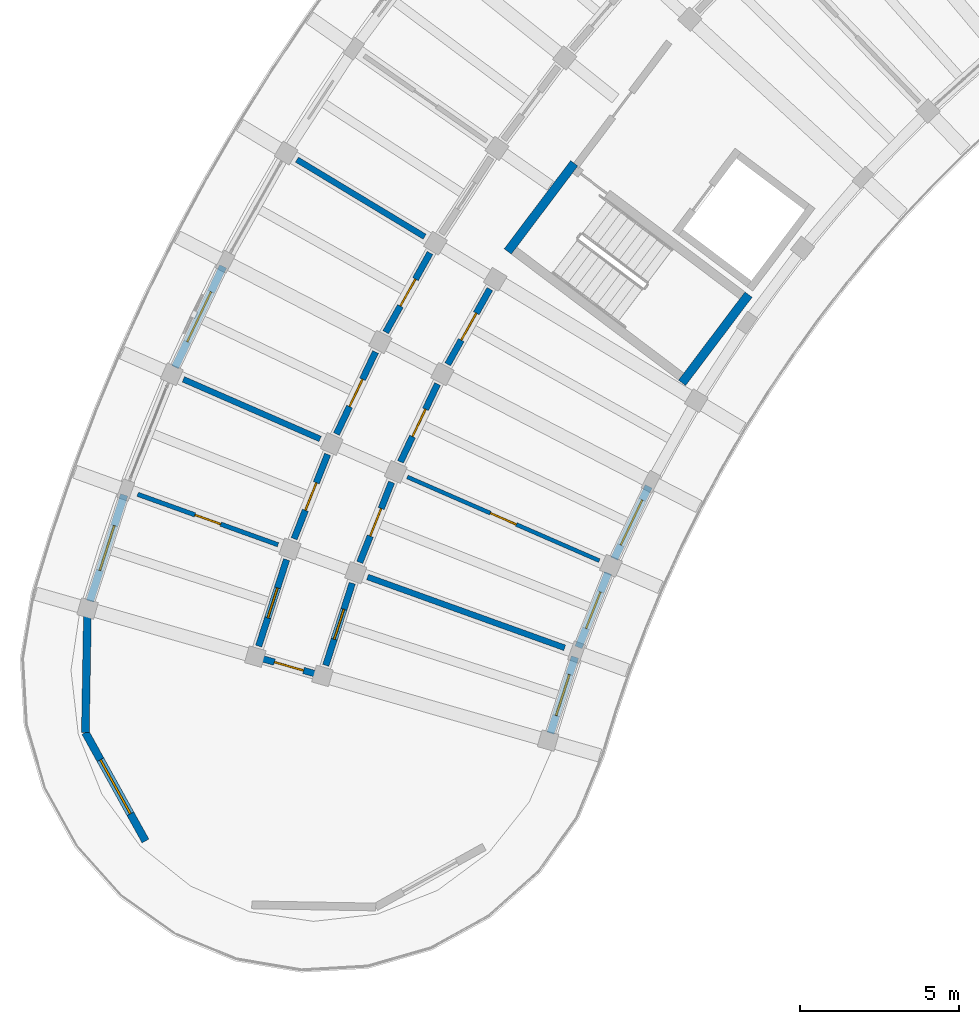
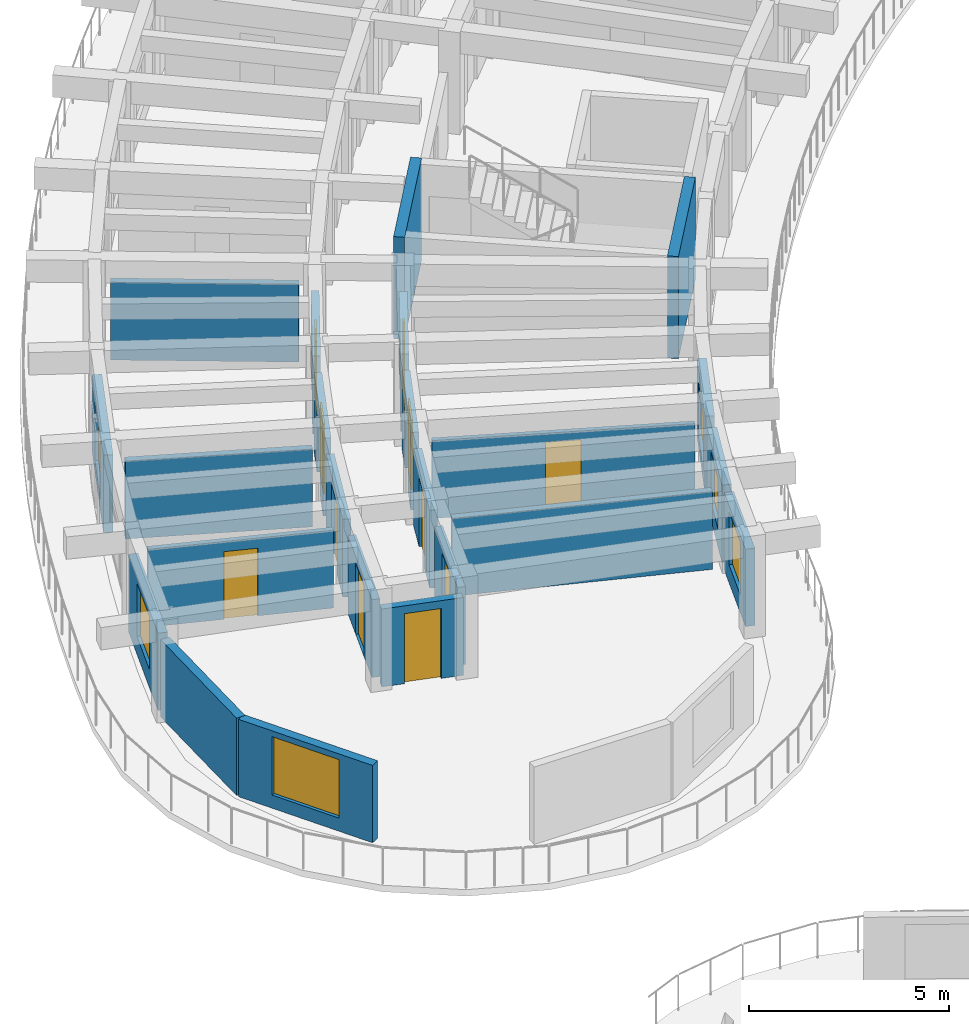
# One storey, part 60 of 96: 23 walls, 11 doors, 6 windows, 17 openings.
"""IFC4 building model written with IfcOpenShell, lengths in metres."""

from ifc_helpers import new_model, si_unit, direction, frame, frame_2d, origin, place, context, subcontext, project, spatial, rectangle, extrude, material, layer, layer_set, type_object, element, fill, save


model = new_model("IFC4")

# Units and contexts
model_context = context("Model", 3, precision=1e-05, world=origin(), true_north=direction((0.0, 1.0)))
body_context = subcontext(model_context, "Body", "Model", "MODEL_VIEW")
ifc_project = project(units=[si_unit("LENGTHUNIT", "METRE"), si_unit("AREAUNIT", "SQUARE_METRE"), si_unit("VOLUMEUNIT", "CUBIC_METRE"), si_unit("PLANEANGLEUNIT", "RADIAN"), si_unit("MASSUNIT", "GRAM", prefix="KILO")], contexts=[model_context])

# Site, building, storey
site_placement = place(None, origin())
site = spatial("IfcSite", under=ifc_project, at=site_placement, CompositionType="ELEMENT")
building_placement = place(site_placement, origin())
building = spatial("IfcBuilding", under=site, at=building_placement, Name="Tanwirah Colonnade Gardens", CompositionType="ELEMENT")
storey_placement = place(building_placement, frame((0.0, 0.0, 12.199951171875)))
storey = spatial("IfcBuildingStorey", under=building, at=storey_placement, Name="L03", CompositionType="ELEMENT", Elevation=12.199951171875)

# Wall, opening, window
ifc_material_1 = material(Name="Limestone architectural precast concrete C40/50", Category="masonry")
ifc_layer_1 = layer(ifc_material_1, 0.2451171875)
ifc_layer_set_1 = layer_set([ifc_layer_1], Name="Limestone architectural precast concrete C40/50")
wall_type_1 = type_object("IfcWallType", Name="EW-PC245", PredefinedType="SOLIDWALL", material=ifc_layer_set_1)
wall_1_placement = place(storey_placement, frame((12.030029296875, 87.39892578125, 0.0), z_axis=(0.0, 0.0, 1.0), x_axis=(-0.429653621352, -0.902993779413, 0.0)))
wall_1 = element("IfcWall", 1, at=wall_1_placement, inside=storey, type_object=wall_type_1, Name="Block A L03 OUT Precast Facade Wall 15", PredefinedType="SOLIDWALL", context=body_context, shape_type="SweptSolid", body=[
    extrude(rectangle(XDim=3.520751953125, YDim=0.2451171875, at=frame_2d((1.76025390625, 0.0))), origin(), (0.0, 0.0, 1.0), 2.35498046875),
])
opening_1_placement = place(wall_1_placement, frame((0.885498046875, 0.0, 0.35009765625)))
opening_1 = element("IfcOpeningElement", 2, at=opening_1_placement, cuts=wall_1, Name="Opening WIN-T13", PredefinedType="OPENING", context=body_context, shape_type="SweptSolid", body=[
    extrude(rectangle(XDim=1.75, YDim=1.85009765625, at=frame_2d((0.875, 0.925048828125))), frame((0.0, 0.132568359375, 0.0), z_axis=(0.0, -1.0, 0.0), x_axis=(1.0, 0.0, 0.0)), (0.0, 0.0, 1.0), 0.26513671875),
])
ifc_material_2 = material(Name="Thermally broken bronze aluminium and solar low-E double glazing", Category="aluminium")
window_type_1 = type_object("IfcWindowType", Name="WIN-T13", PartitioningType="TRIPLE_PANEL_VERTICAL", PredefinedType="WINDOW", material=ifc_material_2)
window_1_placement = place(opening_1_placement, origin())
window_1 = element("IfcWindow", 3, at=window_1_placement, inside=storey, type_object=window_type_1, Name="Facade window A-L03-OUT-15", OverallHeight=1.85009765625, OverallWidth=1.75, PartitioningType="SINGLE_PANEL", PredefinedType="WINDOW", context=body_context, shape_type="SweptSolid", body=[
    extrude(rectangle(XDim=1.75, YDim=1.85009765625, at=frame_2d((0.875, 0.925048828125))), frame((0.0, 0.030029296875, 0.0), z_axis=(0.0, -1.0, 0.0), x_axis=(1.0, 0.0, 0.0)), (0.0, 0.0, 1.0), 0.06005859375),
])
fill(opening_1, window_1)

wall_2_placement = place(storey_placement, frame((25.444091796875, 80.465576171875, 0.0), z_axis=(0.0, 0.0, 1.0), x_axis=(-0.429610836066, -0.903014135844, 0.0)))
wall_2 = element("IfcWall", 4, at=wall_2_placement, inside=storey, type_object=wall_type_1, Name="Block A L03 IN Precast Facade Wall 15", PredefinedType="SOLIDWALL", context=body_context, shape_type="SweptSolid", body=[
    extrude(rectangle(XDim=2.525390625, YDim=0.2451171875, at=frame_2d((1.2626953125, 0.0))), origin(), (0.0, 0.0, 1.0), 2.35498046875),
])
opening_2_placement = place(wall_2_placement, frame((0.47265625, 0.0, 0.35009765625)))
opening_2 = element("IfcOpeningElement", 5, at=opening_2_placement, cuts=wall_2, Name="Opening WIN-T20", PredefinedType="OPENING", context=body_context, shape_type="SweptSolid", body=[
    extrude(rectangle(XDim=1.580078125, YDim=1.679931640625, at=frame_2d((0.7900390625, 0.83984375))), frame((0.0, 0.132568359375, 0.0), z_axis=(0.0, -1.0, 0.0), x_axis=(1.0, 0.0, 0.0)), (0.0, 0.0, 1.0), 0.26513671875),
])
window_type_2 = type_object("IfcWindowType", Name="WIN-T20", PartitioningType="DOUBLE_PANEL_VERTICAL", PredefinedType="WINDOW", material=ifc_material_2)
window_2_placement = place(opening_2_placement, origin())
window_2 = element("IfcWindow", 6, at=window_2_placement, inside=storey, type_object=window_type_2, Name="Facade window A-L03-IN-15", OverallHeight=1.679931640625, OverallWidth=1.580078125, PartitioningType="SINGLE_PANEL", PredefinedType="WINDOW", context=body_context, shape_type="SweptSolid", body=[
    extrude(rectangle(XDim=1.580078125, YDim=1.679931640625, at=frame_2d((0.7900390625, 0.83984375))), frame((0.0, 0.030029296875, 0.0), z_axis=(0.0, -1.0, 0.0), x_axis=(1.0, 0.0, 0.0)), (0.0, 0.0, 1.0), 0.06005859375),
])
fill(opening_2, window_2)

wall_3_placement = place(storey_placement, frame((24.163330078125, 77.736328125, 0.0), z_axis=(0.0, 0.0, 1.0), x_axis=(-0.369122600107, -0.92938071106, 0.0)))
wall_3 = element("IfcWall", 7, at=wall_3_placement, inside=storey, type_object=wall_type_1, Name="Block A L03 IN Precast Facade Wall 16", PredefinedType="SOLIDWALL", context=body_context, shape_type="SweptSolid", body=[
    extrude(rectangle(XDim=2.525146484375, YDim=0.2451171875, at=frame_2d((1.2626953125, 0.0))), origin(), (0.0, 0.0, 1.0), 2.35498046875),
])
opening_3_placement = place(wall_3_placement, frame((0.642578125, 0.0, 0.550048828125)))
opening_3 = element("IfcOpeningElement", 8, at=opening_3_placement, cuts=wall_3, Name="Opening WIN-U03", PredefinedType="OPENING", context=body_context, shape_type="SweptSolid", body=[
    extrude(rectangle(XDim=1.239990234375, YDim=1.534912109375, at=frame_2d((0.6201171875, 0.767578125))), frame((0.0, 0.132568359375, 0.0), z_axis=(0.0, -1.0, 0.0), x_axis=(1.0, 0.0, 0.0)), (0.0, 0.0, 1.0), 0.26513671875),
])
window_type_3 = type_object("IfcWindowType", Name="WIN-U03", PartitioningType="DOUBLE_PANEL_VERTICAL", PredefinedType="WINDOW", material=ifc_material_2)
window_3_placement = place(opening_3_placement, origin())
window_3 = element("IfcWindow", 9, at=window_3_placement, inside=storey, type_object=window_type_3, Name="Facade window A-L03-IN-16", OverallHeight=1.534912109375, OverallWidth=1.239990234375, PartitioningType="SINGLE_PANEL", PredefinedType="WINDOW", context=body_context, shape_type="SweptSolid", body=[
    extrude(rectangle(XDim=1.239990234375, YDim=1.534912109375, at=frame_2d((0.6201171875, 0.767578125))), frame((0.0, 0.030029296875, 0.0), z_axis=(0.0, -1.0, 0.0), x_axis=(1.0, 0.0, 0.0)), (0.0, 0.0, 1.0), 0.06005859375),
])
fill(opening_3, window_3)

wall_4_placement = place(storey_placement, frame((8.91357421875, 80.19775390625, 0.0), z_axis=(0.0, 0.0, 1.0), x_axis=(-0.30720538788, -0.951643236543, 0.0)))
wall_4 = element("IfcWall", 10, at=wall_4_placement, inside=storey, type_object=wall_type_1, Name="Block A L03 OUT Precast Facade Wall 17", PredefinedType="SOLIDWALL", context=body_context, shape_type="SweptSolid", body=[
    extrude(rectangle(XDim=3.5205078125, YDim=0.2451171875, at=frame_2d((1.76025390625, 0.0))), origin(), (0.0, 0.0, 1.0), 2.35498046875),
])
opening_4_placement = place(wall_4_placement, frame((1.020263671875, 0.0, 0.550048828125)))
opening_4 = element("IfcOpeningElement", 11, at=opening_4_placement, cuts=wall_4, Name="Opening WIN-T19", PredefinedType="OPENING", context=body_context, shape_type="SweptSolid", body=[
    extrude(rectangle(XDim=1.47998046875, YDim=1.6201171875, at=frame_2d((0.739990234375, 0.81005859375))), frame((0.0, 0.132568359375, 0.0), z_axis=(0.0, -1.0, 0.0), x_axis=(1.0, 0.0, 0.0)), (0.0, 0.0, 1.0), 0.26513671875),
])
window_type_4 = type_object("IfcWindowType", Name="WIN-T19", PartitioningType="DOUBLE_PANEL_VERTICAL", PredefinedType="WINDOW", material=ifc_material_2)
window_4_placement = place(opening_4_placement, origin())
window_4 = element("IfcWindow", 12, at=window_4_placement, inside=storey, type_object=window_type_4, Name="Facade window A-L03-OUT-17", OverallHeight=1.6201171875, OverallWidth=1.47998046875, PartitioningType="SINGLE_PANEL", PredefinedType="WINDOW", context=body_context, shape_type="SweptSolid", body=[
    extrude(rectangle(XDim=1.47998046875, YDim=1.6201171875, at=frame_2d((0.739990234375, 0.81005859375))), frame((0.0, 0.030029296875, 0.0), z_axis=(0.0, -1.0, 0.0), x_axis=(1.0, 0.0, 0.0)), (0.0, 0.0, 1.0), 0.06005859375),
])
fill(opening_4, window_4)

wall_5_placement = place(storey_placement, frame((23.122802734375, 75.08837890625, 0.0), z_axis=(0.0, 0.0, 1.0), x_axis=(-0.30716379336, -0.951656662903, 0.0)))
wall_5 = element("IfcWall", 13, at=wall_5_placement, inside=storey, type_object=wall_type_1, Name="Block A L03 IN Precast Facade Wall 17", PredefinedType="SOLIDWALL", context=body_context, shape_type="SweptSolid", body=[
    extrude(rectangle(XDim=2.525146484375, YDim=0.2451171875, at=frame_2d((1.2626953125, 0.0))), origin(), (0.0, 0.0, 1.0), 2.35498046875),
])
opening_5_placement = place(wall_5_placement, frame((0.58251953125, 0.0, 0.550048828125)))
opening_5 = element("IfcOpeningElement", 14, at=opening_5_placement, cuts=wall_5, Name="Opening WIN-U06", PredefinedType="OPENING", context=body_context, shape_type="SweptSolid", body=[
    extrude(rectangle(XDim=1.360107421875, YDim=1.610107421875, at=frame_2d((0.68017578125, 0.80517578125))), frame((0.0, 0.132568359375, 0.0), z_axis=(0.0, -1.0, 0.0), x_axis=(1.0, 0.0, 0.0)), (0.0, 0.0, 1.0), 0.26513671875),
])
window_type_5 = type_object("IfcWindowType", Name="WIN-U06", PartitioningType="DOUBLE_PANEL_VERTICAL", PredefinedType="WINDOW", material=ifc_material_2)
window_5_placement = place(opening_5_placement, origin())
window_5 = element("IfcWindow", 15, at=window_5_placement, inside=storey, type_object=window_type_5, Name="Facade window A-L03-IN-17", OverallHeight=1.610107421875, OverallWidth=1.360107421875, PartitioningType="SINGLE_PANEL", PredefinedType="WINDOW", context=body_context, shape_type="SweptSolid", body=[
    extrude(rectangle(XDim=1.360107421875, YDim=1.610107421875, at=frame_2d((0.68017578125, 0.80517578125))), frame((0.0, 0.030029296875, 0.0), z_axis=(0.0, -1.0, 0.0), x_axis=(1.0, 0.0, 0.0)), (0.0, 0.0, 1.0), 0.06005859375),
])
fill(opening_5, window_5)

wall_6_placement = place(storey_placement, frame((9.58349609375, 69.28857421875, 0.0), z_axis=(0.0, 0.0, 1.0), x_axis=(-0.484841794757, 0.874601871743, 0.0)))
wall_6 = element("IfcWall", 16, at=wall_6_placement, inside=storey, type_object=wall_type_1, Name="Block A L03 END Rounded End Wall 4", PredefinedType="SOLIDWALL", context=body_context, shape_type="SweptSolid", body=[
    extrude(rectangle(XDim=3.907958984375, YDim=0.2451171875, at=frame_2d((1.9541015625, 0.0))), origin(), (0.0, 0.0, 1.0), 2.35498046875),
])
opening_6_placement = place(wall_6_placement, frame((0.97900390625, 0.0, 0.39990234375)))
opening_6 = element("IfcOpeningElement", 17, at=opening_6_placement, cuts=wall_6, Name="Opening WIN-END2", PredefinedType="OPENING", context=body_context, shape_type="SweptSolid", body=[
    extrude(rectangle(XDim=1.949951171875, YDim=1.780029296875, at=frame_2d((0.97509765625, 0.89013671875))), frame((0.0, 0.132568359375, 0.0), z_axis=(0.0, -1.0, 0.0), x_axis=(1.0, 0.0, 0.0)), (0.0, 0.0, 1.0), 0.26513671875),
])
window_type_6 = type_object("IfcWindowType", Name="WIN-END2", PartitioningType="TRIPLE_PANEL_VERTICAL", PredefinedType="WINDOW", material=ifc_material_2)
window_6_placement = place(opening_6_placement, origin())
window_6 = element("IfcWindow", 18, at=window_6_placement, inside=storey, type_object=window_type_6, Name="Rounded corner window A-L03-END-4", OverallHeight=1.780029296875, OverallWidth=1.949951171875, PartitioningType="SINGLE_PANEL", PredefinedType="WINDOW", context=body_context, shape_type="SweptSolid", body=[
    extrude(rectangle(XDim=1.949951171875, YDim=1.780029296875, at=frame_2d((0.97509765625, 0.89013671875))), frame((0.0, 0.030029296875, 0.0), z_axis=(0.0, -1.0, 0.0), x_axis=(1.0, 0.0, 0.0)), (0.0, 0.0, 1.0), 0.06005859375),
])
fill(opening_6, window_6)

# Wall
wall_7_placement = place(storey_placement, frame((7.688720703125, 72.70654296875, 0.0), z_axis=(0.0, 0.0, 1.0), x_axis=(0.017428315893, 0.999848115368, 0.0)))
element("IfcWall", 19, at=wall_7_placement, inside=storey, type_object=wall_type_1, Name="Block A L03 END Rounded End Wall 5", PredefinedType="SOLIDWALL", context=body_context, shape_type="SweptSolid", body=[
    extrude(rectangle(XDim=3.908203125, YDim=0.2451171875, at=frame_2d((1.9541015625, 0.0))), origin(), (0.0, 0.0, 1.0), 2.35498046875),
])

# Wall, opening, door
ifc_material_3 = material(Name="Precast concrete C40/50", Category="concrete")
ifc_layer_2 = layer(ifc_material_3, 0.205078125)
ifc_layer_set_2 = layer_set([ifc_layer_2], Name="Precast concrete C40/50")
wall_type_2 = type_object("IfcWallType", Name="IW-CORR205", PredefinedType="PARTITIONING", material=ifc_layer_set_2)
wall_8_placement = place(storey_placement, frame((18.55322265625, 87.822021484375, 0.0), z_axis=(0.0, 0.0, 1.0), x_axis=(-0.488211211273, -0.872725508501, 0.0)))
wall_8 = element("IfcWall", 20, at=wall_8_placement, inside=storey, type_object=wall_type_2, Name="Block A L03 OUT Corridor Wall 14", PredefinedType="PARTITIONING", context=body_context, shape_type="SweptSolid", body=[
    extrude(rectangle(XDim=2.86279296875, YDim=0.205078125, at=frame_2d((1.431396484375, 0.0))), origin(), (0.0, 0.0, 1.0), 2.3701171875),
])
opening_7_placement = place(wall_8_placement, frame((0.946533203125, 0.0, 0.0)))
opening_7 = element("IfcOpeningElement", 21, at=opening_7_placement, cuts=wall_8, Name="Opening L03-AD377", PredefinedType="OPENING", context=body_context, shape_type="SweptSolid", body=[
    extrude(rectangle(XDim=0.969970703125, YDim=2.14990234375, at=frame_2d((0.48486328125, 1.074951171875))), frame((0.0, 0.112548828125, 0.0), z_axis=(0.0, -1.0, 0.0), x_axis=(1.0, 0.0, 0.0)), (0.0, 0.0, 1.0), 0.22509765625),
])
ifc_material_4 = material(Name="Solid oak fire-resisting apartment entrance door")
door_type_1 = type_object("IfcDoorType", Name="ID-FLT097", OperationType="NOTDEFINED", PredefinedType="DOOR", material=ifc_material_4)
door_1_placement = place(opening_7_placement, origin())
door_1 = element("IfcDoor", 22, at=door_1_placement, inside=storey, type_object=door_type_1, Name="Apartment corridor door L03-AD377", OperationType="SINGLE_SWING_RIGHT", OverallHeight=2.14990234375, OverallWidth=0.969970703125, PredefinedType="DOOR", context=body_context, shape_type="SweptSolid", body=[
    extrude(rectangle(XDim=0.969970703125, YDim=2.14990234375, at=frame_2d((0.48486328125, 1.074951171875))), frame((0.0, 0.02490234375, 0.0), z_axis=(0.0, -1.0, 0.0), x_axis=(1.0, 0.0, 0.0)), (0.0, 0.0, 1.0), 0.050048828125),
])
fill(opening_7, door_1)

wall_9_placement = place(storey_placement, frame((20.436767578125, 86.685302734375, 0.0), z_axis=(0.0, 0.0, 1.0), x_axis=(-0.48819576874, -0.872734147025, 0.0)))
wall_9 = element("IfcWall", 23, at=wall_9_placement, inside=storey, type_object=wall_type_2, Name="Block A L03 IN Corridor Wall 14", PredefinedType="PARTITIONING", context=body_context, shape_type="SweptSolid", body=[
    extrude(rectangle(XDim=2.718017578125, YDim=0.205078125, at=frame_2d((1.35888671875, 0.0))), origin(), (0.0, 0.0, 1.0), 2.3701171875),
])
opening_8_placement = place(wall_9_placement, frame((0.8740234375, 0.0, 0.0)))
opening_8 = element("IfcOpeningElement", 24, at=opening_8_placement, cuts=wall_9, Name="Opening L03-AD378", PredefinedType="OPENING", context=body_context, shape_type="SweptSolid", body=[
    extrude(rectangle(XDim=0.969970703125, YDim=2.14990234375, at=frame_2d((0.48486328125, 1.074951171875))), frame((0.0, 0.112548828125, 0.0), z_axis=(0.0, -1.0, 0.0), x_axis=(1.0, 0.0, 0.0)), (0.0, 0.0, 1.0), 0.22509765625),
])
door_2_placement = place(opening_8_placement, origin())
door_2 = element("IfcDoor", 25, at=door_2_placement, inside=storey, type_object=door_type_1, Name="Apartment corridor door L03-AD378", OperationType="SINGLE_SWING_LEFT", OverallHeight=2.14990234375, OverallWidth=0.969970703125, PredefinedType="DOOR", context=body_context, shape_type="SweptSolid", body=[
    extrude(rectangle(XDim=0.969970703125, YDim=2.14990234375, at=frame_2d((0.48486328125, 1.074951171875))), frame((0.0, 0.02490234375, 0.0), z_axis=(0.0, -1.0, 0.0), x_axis=(1.0, 0.0, 0.0)), (0.0, 0.0, 1.0), 0.050048828125),
])
fill(opening_8, door_2)

wall_10_placement = place(storey_placement, frame((16.834228515625, 84.701904296875, 0.0), z_axis=(0.0, 0.0, 1.0), x_axis=(-0.429595933416, -0.90302122566, 0.0)))
wall_10 = element("IfcWall", 26, at=wall_10_placement, inside=storey, type_object=wall_type_2, Name="Block A L03 OUT Corridor Wall 15", PredefinedType="PARTITIONING", context=body_context, shape_type="SweptSolid", body=[
    extrude(rectangle(XDim=2.863037109375, YDim=0.205078125, at=frame_2d((1.431640625, 0.0))), origin(), (0.0, 0.0, 1.0), 2.3701171875),
])
opening_9_placement = place(wall_10_placement, frame((0.95654296875, 0.0, 0.0)))
opening_9 = element("IfcOpeningElement", 27, at=opening_9_placement, cuts=wall_10, Name="Opening L03-AD379", PredefinedType="OPENING", context=body_context, shape_type="SweptSolid", body=[
    extrude(rectangle(XDim=0.949951171875, YDim=2.1298828125, at=frame_2d((0.47509765625, 1.06494140625))), frame((0.0, 0.112548828125, 0.0), z_axis=(0.0, -1.0, 0.0), x_axis=(1.0, 0.0, 0.0)), (0.0, 0.0, 1.0), 0.22509765625),
])
door_type_2 = type_object("IfcDoorType", Name="ID-FLT095", OperationType="NOTDEFINED", PredefinedType="DOOR", material=ifc_material_4)
door_3_placement = place(opening_9_placement, origin())
door_3 = element("IfcDoor", 28, at=door_3_placement, inside=storey, type_object=door_type_2, Name="Apartment corridor door L03-AD379", OperationType="SINGLE_SWING_LEFT", OverallHeight=2.1298828125, OverallWidth=0.949951171875, PredefinedType="DOOR", context=body_context, shape_type="SweptSolid", body=[
    extrude(rectangle(XDim=0.949951171875, YDim=2.1298828125, at=frame_2d((0.47509765625, 1.06494140625))), frame((0.0, 0.02490234375, 0.0), z_axis=(0.0, -1.0, 0.0), x_axis=(1.0, 0.0, 0.0)), (0.0, 0.0, 1.0), 0.050048828125),
])
fill(opening_9, door_3)

wall_11_placement = place(storey_placement, frame((18.78857421875, 83.691650390625, 0.0), z_axis=(0.0, 0.0, 1.0), x_axis=(-0.429630211913, -0.90300491749, 0.0)))
wall_11 = element("IfcWall", 29, at=wall_11_placement, inside=storey, type_object=wall_type_2, Name="Block A L03 IN Corridor Wall 15", PredefinedType="PARTITIONING", context=body_context, shape_type="SweptSolid", body=[
    extrude(rectangle(XDim=2.718017578125, YDim=0.205078125, at=frame_2d((1.35888671875, 0.0))), origin(), (0.0, 0.0, 1.0), 2.3701171875),
])
opening_10_placement = place(wall_11_placement, frame((0.884033203125, 0.0, 0.0)))
opening_10 = element("IfcOpeningElement", 30, at=opening_10_placement, cuts=wall_11, Name="Opening L03-AD380", PredefinedType="OPENING", context=body_context, shape_type="SweptSolid", body=[
    extrude(rectangle(XDim=0.949951171875, YDim=2.1298828125, at=frame_2d((0.47509765625, 1.06494140625))), frame((0.0, 0.112548828125, 0.0), z_axis=(0.0, -1.0, 0.0), x_axis=(1.0, 0.0, 0.0)), (0.0, 0.0, 1.0), 0.22509765625),
])
door_4_placement = place(opening_10_placement, origin())
door_4 = element("IfcDoor", 31, at=door_4_placement, inside=storey, type_object=door_type_2, Name="Apartment corridor door L03-AD380", OperationType="SINGLE_SWING_RIGHT", OverallHeight=2.1298828125, OverallWidth=0.949951171875, PredefinedType="DOOR", context=body_context, shape_type="SweptSolid", body=[
    extrude(rectangle(XDim=0.949951171875, YDim=2.1298828125, at=frame_2d((0.47509765625, 1.06494140625))), frame((0.0, 0.02490234375, 0.0), z_axis=(0.0, -1.0, 0.0), x_axis=(1.0, 0.0, 0.0)), (0.0, 0.0, 1.0), 0.050048828125),
])
fill(opening_10, door_4)

wall_12_placement = place(storey_placement, frame((15.32470703125, 81.47509765625, 0.0), z_axis=(0.0, 0.0, 1.0), x_axis=(-0.369213832442, -0.929344471083, 0.0)))
wall_12 = element("IfcWall", 32, at=wall_12_placement, inside=storey, type_object=wall_type_2, Name="Block A L03 OUT Corridor Wall 16", PredefinedType="PARTITIONING", context=body_context, shape_type="SweptSolid", body=[
    extrude(rectangle(XDim=2.86328125, YDim=0.205078125, at=frame_2d((1.431640625, 0.0))), origin(), (0.0, 0.0, 1.0), 2.3701171875),
])
opening_11_placement = place(wall_12_placement, frame((0.966552734375, 0.0, 0.0)))
opening_11 = element("IfcOpeningElement", 33, at=opening_11_placement, cuts=wall_12, Name="Opening L03-AD382", PredefinedType="OPENING", context=body_context, shape_type="SweptSolid", body=[
    extrude(rectangle(XDim=0.929931640625, YDim=2.1201171875, at=frame_2d((0.46484375, 1.06005859375))), frame((0.0, 0.112548828125, 0.0), z_axis=(0.0, -1.0, 0.0), x_axis=(1.0, 0.0, 0.0)), (0.0, 0.0, 1.0), 0.22509765625),
])
door_type_3 = type_object("IfcDoorType", Name="ID-FLT093", OperationType="NOTDEFINED", PredefinedType="DOOR", material=ifc_material_4)
door_5_placement = place(opening_11_placement, origin())
door_5 = element("IfcDoor", 34, at=door_5_placement, inside=storey, type_object=door_type_3, Name="Apartment corridor door L03-AD382", OperationType="SINGLE_SWING_RIGHT", OverallHeight=2.1201171875, OverallWidth=0.929931640625, PredefinedType="DOOR", context=body_context, shape_type="SweptSolid", body=[
    extrude(rectangle(XDim=0.929931640625, YDim=2.1201171875, at=frame_2d((0.46484375, 1.06005859375))), frame((0.0, 0.02490234375, 0.0), z_axis=(0.0, -1.0, 0.0), x_axis=(1.0, 0.0, 0.0)), (0.0, 0.0, 1.0), 0.050048828125),
])
fill(opening_11, door_5)

wall_13_placement = place(storey_placement, frame((17.34130859375, 80.595947265625, 0.0), z_axis=(0.0, 0.0, 1.0), x_axis=(-0.369237170461, -0.929335198919, 0.0)))
wall_13 = element("IfcWall", 35, at=wall_13_placement, inside=storey, type_object=wall_type_2, Name="Block A L03 IN Corridor Wall 16", PredefinedType="PARTITIONING", context=body_context, shape_type="SweptSolid", body=[
    extrude(rectangle(XDim=2.71826171875, YDim=0.205078125, at=frame_2d((1.359130859375, 0.0))), origin(), (0.0, 0.0, 1.0), 2.3701171875),
])
opening_12_placement = place(wall_13_placement, frame((0.89404296875, 0.0, 0.0)))
opening_12 = element("IfcOpeningElement", 36, at=opening_12_placement, cuts=wall_13, Name="Opening L03-AD383", PredefinedType="OPENING", context=body_context, shape_type="SweptSolid", body=[
    extrude(rectangle(XDim=0.929931640625, YDim=2.1201171875, at=frame_2d((0.46484375, 1.06005859375))), frame((0.0, 0.112548828125, 0.0), z_axis=(0.0, -1.0, 0.0), x_axis=(1.0, 0.0, 0.0)), (0.0, 0.0, 1.0), 0.22509765625),
])
door_6_placement = place(opening_12_placement, origin())
door_6 = element("IfcDoor", 37, at=door_6_placement, inside=storey, type_object=door_type_3, Name="Apartment corridor door L03-AD383", OperationType="SINGLE_SWING_LEFT", OverallHeight=2.1201171875, OverallWidth=0.929931640625, PredefinedType="DOOR", context=body_context, shape_type="SweptSolid", body=[
    extrude(rectangle(XDim=0.929931640625, YDim=2.1201171875, at=frame_2d((0.46484375, 1.06005859375))), frame((0.0, 0.02490234375, 0.0), z_axis=(0.0, -1.0, 0.0), x_axis=(1.0, 0.0, 0.0)), (0.0, 0.0, 1.0), 0.050048828125),
])
fill(opening_12, door_6)

wall_14_placement = place(storey_placement, frame((14.03076171875, 78.156005859375, 0.0), z_axis=(0.0, 0.0, 1.0), x_axis=(-0.307132325305, -0.951666819193, 0.0)))
wall_14 = element("IfcWall", 38, at=wall_14_placement, inside=storey, type_object=wall_type_2, Name="Block A L03 OUT Corridor Wall 17", PredefinedType="PARTITIONING", context=body_context, shape_type="SweptSolid", body=[
    extrude(rectangle(XDim=2.86328125, YDim=0.205078125, at=frame_2d((1.431640625, 0.0))), origin(), (0.0, 0.0, 1.0), 2.3701171875),
])
opening_13_placement = place(wall_14_placement, frame((0.9365234375, 0.0, 0.0)))
opening_13 = element("IfcOpeningElement", 39, at=opening_13_placement, cuts=wall_14, Name="Opening L03-AD385", PredefinedType="OPENING", context=body_context, shape_type="SweptSolid", body=[
    extrude(rectangle(XDim=0.989990234375, YDim=2.159912109375, at=frame_2d((0.4951171875, 1.080078125))), frame((0.0, 0.112548828125, 0.0), z_axis=(0.0, -1.0, 0.0), x_axis=(1.0, 0.0, 0.0)), (0.0, 0.0, 1.0), 0.22509765625),
])
door_type_4 = type_object("IfcDoorType", Name="ID-FLT099", OperationType="NOTDEFINED", PredefinedType="DOOR", material=ifc_material_4)
door_7_placement = place(opening_13_placement, origin())
door_7 = element("IfcDoor", 40, at=door_7_placement, inside=storey, type_object=door_type_4, Name="Apartment corridor door L03-AD385", OperationType="SINGLE_SWING_LEFT", OverallHeight=2.159912109375, OverallWidth=0.989990234375, PredefinedType="DOOR", context=body_context, shape_type="SweptSolid", body=[
    extrude(rectangle(XDim=0.989990234375, YDim=2.159912109375, at=frame_2d((0.4951171875, 1.080078125))), frame((0.0, 0.02490234375, 0.0), z_axis=(0.0, -1.0, 0.0), x_axis=(1.0, 0.0, 0.0)), (0.0, 0.0, 1.0), 0.050048828125),
])
fill(opening_13, door_7)

wall_15_placement = place(storey_placement, frame((16.10107421875, 77.41162109375, 0.0), z_axis=(0.0, 0.0, 1.0), x_axis=(-0.307186478934, -0.95164934044, 0.0)))
wall_15 = element("IfcWall", 41, at=wall_15_placement, inside=storey, type_object=wall_type_2, Name="Block A L03 IN Corridor Wall 17", PredefinedType="PARTITIONING", context=body_context, shape_type="SweptSolid", body=[
    extrude(rectangle(XDim=2.718017578125, YDim=0.205078125, at=frame_2d((1.35888671875, 0.0))), origin(), (0.0, 0.0, 1.0), 2.3701171875),
])
opening_14_placement = place(wall_15_placement, frame((0.864013671875, 0.0, 0.0)))
opening_14 = element("IfcOpeningElement", 42, at=opening_14_placement, cuts=wall_15, Name="Opening L03-AD386", PredefinedType="OPENING", context=body_context, shape_type="SweptSolid", body=[
    extrude(rectangle(XDim=0.989990234375, YDim=2.159912109375, at=frame_2d((0.4951171875, 1.080078125))), frame((0.0, 0.112548828125, 0.0), z_axis=(0.0, -1.0, 0.0), x_axis=(1.0, 0.0, 0.0)), (0.0, 0.0, 1.0), 0.22509765625),
])
door_8_placement = place(opening_14_placement, origin())
door_8 = element("IfcDoor", 43, at=door_8_placement, inside=storey, type_object=door_type_4, Name="Apartment corridor door L03-AD386", OperationType="SINGLE_SWING_RIGHT", OverallHeight=2.159912109375, OverallWidth=0.989990234375, PredefinedType="DOOR", context=body_context, shape_type="SweptSolid", body=[
    extrude(rectangle(XDim=0.989990234375, YDim=2.159912109375, at=frame_2d((0.4951171875, 1.080078125))), frame((0.0, 0.02490234375, 0.0), z_axis=(0.0, -1.0, 0.0), x_axis=(1.0, 0.0, 0.0)), (0.0, 0.0, 1.0), 0.050048828125),
])
fill(opening_14, door_8)

wall_16_placement = place(storey_placement, frame((15.110595703125, 74.505615234375, 0.0), z_axis=(0.0, 0.0, 1.0), x_axis=(-0.961264701934, 0.275626872449, 0.0)))
wall_16 = element("IfcWall", 44, at=wall_16_placement, inside=storey, type_object=wall_type_2, Name="Block A L03 CE Corner Suite Corridor Wall", PredefinedType="PARTITIONING", context=body_context, shape_type="SweptSolid", body=[
    extrude(rectangle(XDim=2.10009765625, YDim=0.205078125, at=frame_2d((1.050048828125, 0.0))), origin(), (0.0, 0.0, 1.0), 2.3701171875),
])
opening_15_placement = place(wall_16_placement, frame((0.570068359375, 0.0, 0.0)))
opening_15 = element("IfcOpeningElement", 45, at=opening_15_placement, cuts=wall_16, Name="Opening L03-CD388", PredefinedType="OPENING", context=body_context, shape_type="SweptSolid", body=[
    extrude(rectangle(XDim=0.949951171875, YDim=2.1298828125, at=frame_2d((0.47509765625, 1.06494140625))), frame((0.0, 0.112548828125, 0.0), z_axis=(0.0, -1.0, 0.0), x_axis=(1.0, 0.0, 0.0)), (0.0, 0.0, 1.0), 0.22509765625),
])
door_9_placement = place(opening_15_placement, origin())
door_9 = element("IfcDoor", 46, at=door_9_placement, inside=storey, type_object=door_type_2, Name="Corner suite entrance door L03-CD388", OperationType="SINGLE_SWING_RIGHT", OverallHeight=2.1298828125, OverallWidth=0.949951171875, PredefinedType="DOOR", context=body_context, shape_type="SweptSolid", body=[
    extrude(rectangle(XDim=0.949951171875, YDim=2.1298828125, at=frame_2d((0.47509765625, 1.06494140625))), frame((0.0, 0.02490234375, 0.0), z_axis=(0.0, -1.0, 0.0), x_axis=(1.0, 0.0, 0.0)), (0.0, 0.0, 1.0), 0.050048828125),
])
fill(opening_15, door_9)

# Walls
ifc_layer_3 = layer(ifc_material_3, 0.18505859375)
ifc_layer_set_3 = layer_set([ifc_layer_3], Name="Precast concrete C40/50")
wall_type_3 = type_object("IfcWallType", Name="IW-DEM185", PredefinedType="PARTITIONING", material=ifc_layer_set_3)
for number, where, z_axis, x_axis, name in (
    (47, (18.381591796875, 88.334228515625, 0.0), (0.0, 0.0, 1.0), (-0.856165473929, 0.516701733356, 0.0), "Block A L03 Radial Partition 13"),
    (48, (15.087158203125, 81.960205078125, 0.0), (0.0, 0.0, 1.0), (-0.916663273961, 0.39966040856, 0.0), "Block A L03 Radial Partition 15"),
):
    element("IfcWall", number, at=place(storey_placement, frame(where, z_axis=z_axis, x_axis=x_axis)), inside=storey, type_object=wall_type_3, Name=name, PredefinedType="PARTITIONING", context=body_context, shape_type="SweptSolid", body=[
        extrude(rectangle(XDim=4.699951171875, YDim=0.18505859375, at=frame_2d((2.35009765625, 0.0))), origin(), (0.0, 0.0, 1.0), 2.3701171875),
    ])
wall_17_placement = place(storey_placement, frame((22.795654296875, 75.3759765625, 0.0), z_axis=(0.0, 0.0, 1.0), x_axis=(-0.941005714099, 0.338390670725, 0.0)))
element("IfcWall", 49, at=wall_17_placement, inside=storey, type_object=wall_type_3, Name="Block A L03 Inner Radial Partition 16", PredefinedType="PARTITIONING", context=body_context, shape_type="SweptSolid", body=[
    extrude(rectangle(XDim=6.60009765625, YDim=0.18505859375, at=frame_2d((3.300048828125, 0.0))), origin(), (0.0, 0.0, 1.0), 2.3701171875),
])

# Wall, opening, door
ifc_material_5 = material(Name="Moisture-resistant gypsum stud partition")
ifc_layer_4 = layer(ifc_material_5, 0.125)
ifc_layer_set_4 = layer_set([ifc_layer_4], Name="Moisture-resistant gypsum stud partition")
wall_type_4 = type_object("IfcWallType", Name="IW-INT125", PredefinedType="PARTITIONING", material=ifc_layer_set_4)
wall_18_placement = place(storey_placement, frame((23.88720703125, 78.123779296875, 0.0), z_axis=(0.0, 0.0, 1.0), x_axis=(-0.916668515796, 0.399648385645, 0.0)))
wall_18 = element("IfcWall", 50, at=wall_18_placement, inside=storey, type_object=wall_type_4, Name="Block A L03 Inner Radial Partition 15", PredefinedType="PARTITIONING", context=body_context, shape_type="SweptSolid", body=[
    extrude(rectangle(XDim=6.60009765625, YDim=0.125, at=frame_2d((3.300048828125, 0.0))), origin(), (0.0, 0.0, 1.0), 2.3701171875),
])
opening_16_placement = place(wall_18_placement, frame((2.85498046875, 0.0, 0.0)))
opening_16 = element("IfcOpeningElement", 51, at=opening_16_placement, cuts=wall_18, Name="Opening L03-RD381", PredefinedType="OPENING", context=body_context, shape_type="SweptSolid", body=[
    extrude(rectangle(XDim=0.889892578125, YDim=2.10009765625, at=frame_2d((0.44482421875, 1.050048828125))), frame((0.0, 0.072509765625, 0.0), z_axis=(0.0, -1.0, 0.0), x_axis=(1.0, 0.0, 0.0)), (0.0, 0.0, 1.0), 0.14501953125),
])
ifc_material_6 = material(Name="Painted hardwood bedroom door", Category="wood")
door_type_5 = type_object("IfcDoorType", Name="ID-RM089", OperationType="NOTDEFINED", PredefinedType="DOOR", material=ifc_material_6)
door_10_placement = place(opening_16_placement, origin())
door_10 = element("IfcDoor", 52, at=door_10_placement, inside=storey, type_object=door_type_5, Name="Internal apartment door L03-RD381", OperationType="SINGLE_SWING_RIGHT", OverallHeight=2.10009765625, OverallWidth=0.889892578125, PredefinedType="DOOR", context=body_context, shape_type="SweptSolid", body=[
    extrude(rectangle(XDim=0.889892578125, YDim=2.10009765625, at=frame_2d((0.44482421875, 1.050048828125))), frame((0.0, 0.02490234375, 0.0), z_axis=(0.0, -1.0, 0.0), x_axis=(1.0, 0.0, 0.0)), (0.0, 0.0, 1.0), 0.050048828125),
])
fill(opening_16, door_10)

ifc_material_7 = material(Name="Water-resistant acoustic plumbing partition")
ifc_layer_5 = layer(ifc_material_7, 0.139892578125)
ifc_layer_set_5 = layer_set([ifc_layer_5], Name="Water-resistant acoustic plumbing partition")
wall_type_5 = type_object("IfcWallType", Name="IW-WET140", PredefinedType="PLUMBINGWALL", material=ifc_layer_set_5)
wall_19_placement = place(storey_placement, frame((13.761962890625, 78.62451171875, 0.0), z_axis=(0.0, 0.0, 1.0), x_axis=(-0.941015806044, 0.338362605463, 0.0)))
wall_19 = element("IfcWall", 53, at=wall_19_placement, inside=storey, type_object=wall_type_5, Name="Block A L03 Radial Partition 16", PredefinedType="PLUMBINGWALL", context=body_context, shape_type="SweptSolid", body=[
    extrude(rectangle(XDim=4.7001953125, YDim=0.139892578125, at=frame_2d((2.35009765625, 0.0))), origin(), (0.0, 0.0, 1.0), 2.3701171875),
])
opening_17_placement = place(wall_19_placement, frame((1.919921875, 0.0, 0.0)))
opening_17 = element("IfcOpeningElement", 54, at=opening_17_placement, cuts=wall_19, Name="Opening L03-RD384", PredefinedType="OPENING", context=body_context, shape_type="SweptSolid", body=[
    extrude(rectangle(XDim=0.860107421875, YDim=2.06005859375, at=frame_2d((0.43017578125, 1.030029296875))), frame((0.0, 0.079833984375, 0.0), z_axis=(0.0, -1.0, 0.0), x_axis=(1.0, 0.0, 0.0)), (0.0, 0.0, 1.0), 0.159912109375),
])
ifc_material_8 = material(Name="Moisture-resistant bathroom door")
door_type_6 = type_object("IfcDoorType", Name="ID-WET086", OperationType="NOTDEFINED", PredefinedType="DOOR", material=ifc_material_8)
door_11_placement = place(opening_17_placement, origin())
door_11 = element("IfcDoor", 55, at=door_11_placement, inside=storey, type_object=door_type_6, Name="Internal apartment door L03-RD384", OperationType="SINGLE_SWING_RIGHT", OverallHeight=2.06005859375, OverallWidth=0.860107421875, PredefinedType="DOOR", context=body_context, shape_type="SweptSolid", body=[
    extrude(rectangle(XDim=0.860107421875, YDim=2.06005859375, at=frame_2d((0.43017578125, 1.030029296875))), frame((0.0, 0.02490234375, 0.0), z_axis=(0.0, -1.0, 0.0), x_axis=(1.0, 0.0, 0.0)), (0.0, 0.0, 1.0), 0.050048828125),
])
fill(opening_17, door_11)

# Walls
ifc_material_9 = material(Name="Concrete C45/55", Category="concrete")
ifc_layer_6 = layer(ifc_material_9, 0.280029296875)
ifc_layer_set_6 = layer_set([ifc_layer_6], Name="Concrete C45/55")
wall_type_6 = type_object("IfcWallType", Name="SW-CORE280", PredefinedType="SHEAR", material=ifc_layer_set_6)
for number, where, z_axis, x_axis, name in (
    (56, (26.497314453125, 83.7294921875, 0.0), (0.0, 0.0, 1.0), (0.601794470585, 0.798650997102, 0.0), "CORE-A2 L03 Stair Shaft Shear Wall FAR"),
    (57, (21.002685546875, 87.869873046875, 0.0), (0.0, 0.0, 1.0), (0.601794470585, 0.798650997102, 0.0), "CORE-A2 L03 Stair Shaft Shear Wall NEAR"),
):
    element("IfcWall", number, at=place(storey_placement, frame(where, z_axis=z_axis, x_axis=x_axis)), inside=storey, type_object=wall_type_6, Name=name, PredefinedType="SHEAR", context=body_context, shape_type="SweptSolid", body=[
        extrude(rectangle(XDim=3.47998046875, YDim=0.280029296875, at=frame_2d((1.739990234375, 0.0))), origin(), (0.0, 0.0, 1.0), 3.110107421875),
    ])

save(model, "model.ifc")
